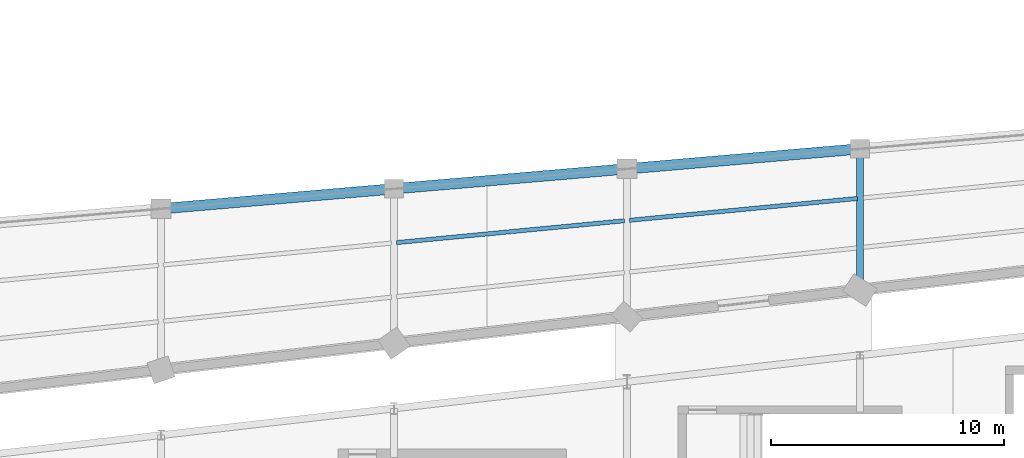
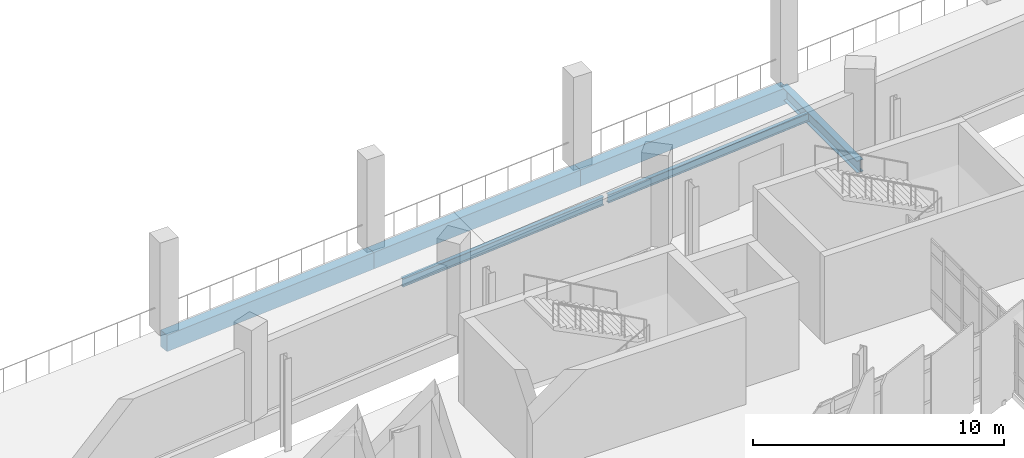
# One storey, part 45 of 125: 6 beams.
"""IFC4 building model written with IfcOpenShell, lengths in metres."""

from ifc_helpers import new_model, si_unit, direction, frame, origin, origin_2d, place, context, subcontext, project, spatial, rectangle, i_section, extrude, material, material_profile, profile_set, type_object, element, save


model = new_model("IFC4")

# Units and contexts
model_context = context("Model", 3, precision=1e-05, world=origin(), true_north=direction((0.0, 1.0)))
body_context = subcontext(model_context, "Body", "Model", "MODEL_VIEW")
ifc_project = project(units=[si_unit("LENGTHUNIT", "METRE"), si_unit("AREAUNIT", "SQUARE_METRE"), si_unit("VOLUMEUNIT", "CUBIC_METRE"), si_unit("PLANEANGLEUNIT", "RADIAN"), si_unit("MASSUNIT", "GRAM", prefix="KILO")], contexts=[model_context])

# Site, building, storey
site_placement = place(None, origin())
site = spatial("IfcSite", under=ifc_project, at=site_placement, CompositionType="ELEMENT")
building_placement = place(site_placement, origin())
building = spatial("IfcBuilding", under=site, at=building_placement, Name="Sohan Crest Arena", CompositionType="ELEMENT")
storey_placement = place(building_placement, frame((0.0, 0.0, 9.0)))
storey = spatial("IfcBuildingStorey", under=building, at=storey_placement, Name="L02", CompositionType="ELEMENT", Elevation=9.0)

# Beams
ifc_material_1 = material(Name="Steel S355", Category="steel")
ifc_material_profile_1 = material_profile(ifc_material_1, i_section(OverallWidth=0.179931640625, OverallDepth=0.39990234375, WebThickness=0.008544921875, FlangeThickness=0.013427734375, at=origin_2d()), Name="IPE 400")
ifc_profile_set_1 = profile_set([ifc_material_profile_1], Name="Steel S355")
beam_type_1 = type_object("IfcBeamType", Name="STR-BM-B03", PredefinedType="JOIST", material=ifc_profile_set_1)
beam_1_placement = place(storey_placement, frame((118.10888671875, 53.60400390625, -0.449951171875), z_axis=(0.995443739336, 0.095350730547, 0.0), x_axis=(-0.095350730547, 0.995443739336, 0.0)))
element("IfcBeam", 1, at=beam_1_placement, inside=storey, type_object=beam_type_1, Name="Structural beam J-L02-0380", PredefinedType="JOIST", context=body_context, shape_type="SweptSolid", body=[
    extrude(i_section(OverallWidth=0.179931640625, OverallDepth=0.39990234375, WebThickness=0.008544921875, FlangeThickness=0.013427734375, at=origin_2d()), origin(), (0.0, 0.0, 1.0), 9.826904296875),
])
beam_2_placement = place(storey_placement, frame((128.10888671875, 54.56103515625, -0.449951171875), z_axis=(0.995434302208, 0.095449201085, 0.0), x_axis=(-0.095449201085, 0.995434302208, 0.0)))
element("IfcBeam", 2, at=beam_2_placement, inside=storey, type_object=beam_type_1, Name="Structural beam J-L02-0402", PredefinedType="JOIST", context=body_context, shape_type="SweptSolid", body=[
    extrude(i_section(OverallWidth=0.179931640625, OverallDepth=0.39990234375, WebThickness=0.008544921875, FlangeThickness=0.013427734375, at=origin_2d()), origin(), (0.0, 0.0, 1.0), 9.8271484375),
])
ifc_material_profile_2 = material_profile(ifc_material_1, i_section(OverallWidth=0.300048828125, OverallDepth=0.590087890625, WebThickness=0.012939453125, FlangeThickness=0.02490234375, at=origin_2d()), Name="HEA 600")
ifc_profile_set_2 = profile_set([ifc_material_profile_2], Name="Steel S355")
beam_type_2 = type_object("IfcBeamType", Name="STR-BM-B11", PredefinedType="BEAM", material=ifc_profile_set_2)
beam_3_placement = place(storey_placement, frame((138.0, 57.62890625, -0.544921875), z_axis=(0.0, -1.0, 0.0), x_axis=(1.0, 0.0, 0.0)))
element("IfcBeam", 3, at=beam_3_placement, inside=storey, type_object=beam_type_2, Name="Structural beam G-L02-0423", PredefinedType="BEAM", context=body_context, shape_type="SweptSolid", body=[
    extrude(i_section(OverallWidth=0.300048828125, OverallDepth=0.590087890625, WebThickness=0.012939453125, FlangeThickness=0.02490234375, at=origin_2d()), origin(), (0.0, 0.0, 1.0), 6.057861328125),
])
ifc_material_2 = material(Name="Concrete C40/50", Category="concrete")
ifc_material_profile_3 = material_profile(ifc_material_2, rectangle(XDim=0.449951171875, YDim=0.800048828125, at=origin_2d()), Name="RC-BM 450x800")
ifc_profile_set_3 = profile_set([ifc_material_profile_3], Name="Concrete C40/50")
beam_type_3 = type_object("IfcBeamType", Name="STR-BM-TB02", PredefinedType="BEAM", material=ifc_profile_set_3)
for number, where, z_axis, x_axis, name in (
    (4, (108.0, 55.056884765625, -0.64990234375), (0.996346353353, 0.085404590982, 0.0), (-0.085404590982, 0.996346353353, 0.0), "Structural beam TB-L02-0355"),
    (5, (118.0, 55.9140625, -0.64990234375), (0.996348422929, 0.085380443469, 0.0), (-0.085380443469, 0.996348422929, 0.0), "Structural beam TB-L02-0377"),
    (6, (128.0, 56.77099609375, -0.64990234375), (0.996340141164, 0.085477032618, 0.0), (-0.085477032618, 0.996340141164, 0.0), "Structural beam TB-L02-0399"),
):
    element("IfcBeam", number, at=place(storey_placement, frame(where, z_axis=z_axis, x_axis=x_axis)), inside=storey, type_object=beam_type_3, Name=name, PredefinedType="BEAM", context=body_context, shape_type="SweptSolid", body=[
        extrude(rectangle(XDim=0.449951171875, YDim=0.800048828125, at=origin_2d()), origin(), (0.0, 0.0, 1.0), 10.03662109375),
    ])

save(model, "model.ifc")
